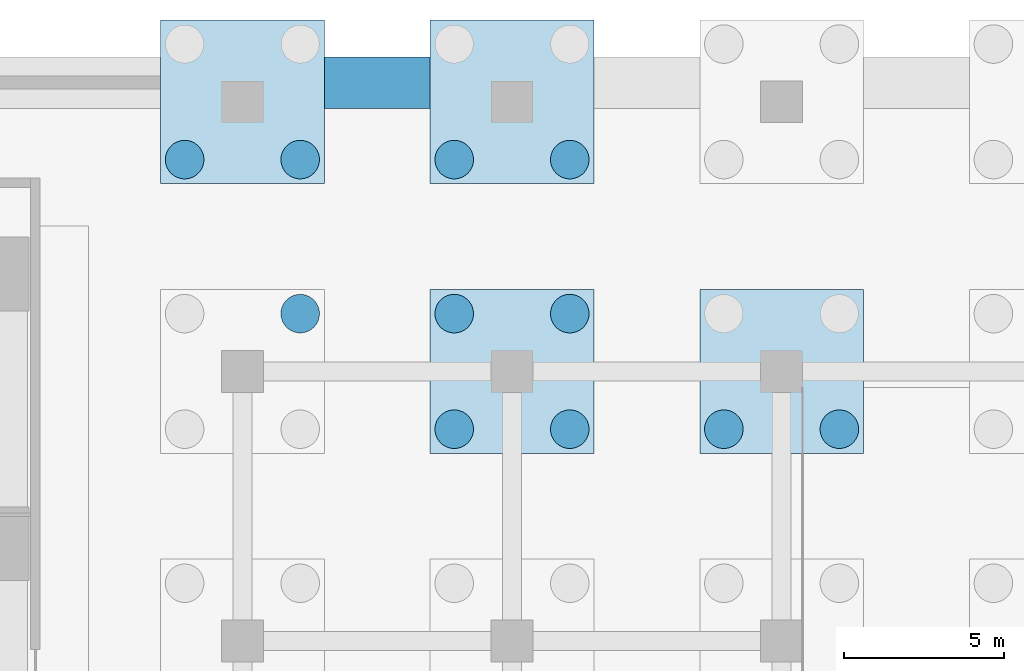
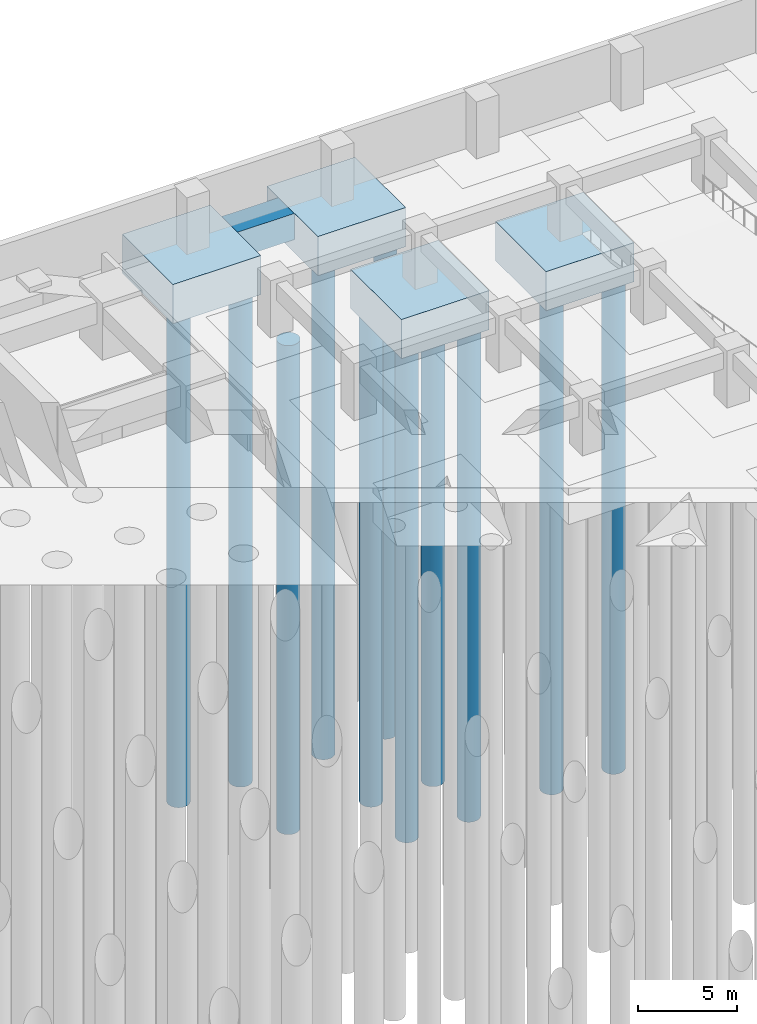
# One storey, part 44 of 73: 11 piles, 5 footings.
"""IFC4 building model written with IfcOpenShell, lengths in metres."""

from ifc_helpers import new_model, si_unit, direction, frame, origin, origin_2d, place, context, subcontext, project, spatial, polyline, circle, outline, extrude, material, material_profile, profile_set, type_object, element, save


model = new_model("IFC4")

# Units and contexts
model_context = context("Model", 3, precision=1e-05, world=origin(), true_north=direction((0.0, 1.0)))
body_context = subcontext(model_context, "Body", "Model", "MODEL_VIEW")
ifc_project = project(units=[si_unit("LENGTHUNIT", "METRE"), si_unit("AREAUNIT", "SQUARE_METRE"), si_unit("VOLUMEUNIT", "CUBIC_METRE"), si_unit("PLANEANGLEUNIT", "RADIAN"), si_unit("MASSUNIT", "GRAM", prefix="KILO")], contexts=[model_context])

# Site, building, storey
site_placement = place(None, origin())
site = spatial("IfcSite", under=ifc_project, at=site_placement, CompositionType="ELEMENT")
building_placement = place(site_placement, origin())
building = spatial("IfcBuilding", under=site, at=building_placement, Name="Impinga Residences", CompositionType="ELEMENT")
storey_placement = place(building_placement, frame((0.0, 0.0, -10.5)))
storey = spatial("IfcBuildingStorey", under=building, at=storey_placement, Name="B3", CompositionType="ELEMENT", Elevation=-10.5)

# Piles
ifc_material_1 = material(Name="Concrete C35/45", Category="concrete")
ifc_material_profile = material_profile(ifc_material_1, circle(Radius=0.60009765625, at=origin_2d()), Name="D1200")
ifc_profile_set = profile_set([ifc_material_profile], Name="Concrete C35/45")
pile_type = type_object("IfcPileType", Name="BP2 bored pile D1200", PredefinedType="BORED", material=ifc_profile_set)
pile_1_placement = place(storey_placement, frame((18.60009765625, 43.800048828125, -2.39990234375), z_axis=(0.0, 0.0, -1.0), x_axis=(1.0, 0.0, 0.0)))
element("IfcPile", 1, at=pile_1_placement, inside=storey, type_object=pile_type, Name="Cap pile BP2 9/L-3", PredefinedType="BORED", context=body_context, shape_type="SweptSolid", body=[
    extrude(outline(polyline([(0.60009765625, 0.0), (0.59716796875, 0.058837890625), (0.58837890625, 0.116943359375), (0.57421875, 0.174072265625), (0.554443359375, 0.2294921875), (0.529052734375, 0.282958984375), (0.498779296875, 0.333251953125), (0.4638671875, 0.380615234375), (0.42431640625, 0.42431640625), (0.380615234375, 0.4638671875), (0.333251953125, 0.498779296875), (0.282958984375, 0.529052734375), (0.2294921875, 0.554443359375), (0.174072265625, 0.57421875), (0.116943359375, 0.58837890625), (0.058837890625, 0.59716796875), (0.0, 0.60009765625), (-0.058837890625, 0.59716796875), (-0.116943359375, 0.58837890625), (-0.174072265625, 0.57421875), (-0.2294921875, 0.554443359375), (-0.282958984375, 0.529052734375), (-0.333251953125, 0.498779296875), (-0.380615234375, 0.4638671875), (-0.42431640625, 0.42431640625), (-0.4638671875, 0.380615234375), (-0.498779296875, 0.333251953125), (-0.529052734375, 0.282958984375), (-0.554443359375, 0.2294921875), (-0.57421875, 0.174072265625), (-0.58837890625, 0.116943359375), (-0.59716796875, 0.058837890625), (-0.60009765625, 0.0), (-0.59716796875, -0.058837890625), (-0.58837890625, -0.116943359375), (-0.57421875, -0.174072265625), (-0.554443359375, -0.2294921875), (-0.529052734375, -0.282958984375), (-0.498779296875, -0.333251953125), (-0.4638671875, -0.380615234375), (-0.42431640625, -0.42431640625), (-0.380615234375, -0.4638671875), (-0.333251953125, -0.498779296875), (-0.282958984375, -0.529052734375), (-0.2294921875, -0.554443359375), (-0.174072265625, -0.57421875), (-0.116943359375, -0.58837890625), (-0.058837890625, -0.59716796875), (0.0, -0.60009765625), (0.058837890625, -0.59716796875), (0.116943359375, -0.58837890625), (0.174072265625, -0.57421875), (0.2294921875, -0.554443359375), (0.282958984375, -0.529052734375), (0.333251953125, -0.498779296875), (0.380615234375, -0.4638671875), (0.42431640625, -0.42431640625), (0.4638671875, -0.380615234375), (0.498779296875, -0.333251953125), (0.529052734375, -0.282958984375), (0.554443359375, -0.2294921875), (0.57421875, -0.174072265625), (0.58837890625, -0.116943359375), (0.59716796875, -0.058837890625), (0.60009765625, 0.0)])), origin(), (0.0, 0.0, 1.0), 30.0),
])
pile_2_placement = place(storey_placement, frame((15.0, 48.60009765625, -2.39990234375), z_axis=(0.0, 0.0, -1.0), x_axis=(1.0, 0.0, 0.0)))
element("IfcPile", 2, at=pile_2_placement, inside=storey, type_object=pile_type, Name="Cap pile BP2 9/M-1", PredefinedType="BORED", context=body_context, shape_type="SweptSolid", body=[
    extrude(outline(polyline([(0.60009765625, 0.0), (0.59716796875, 0.058837890625), (0.58837890625, 0.116943359375), (0.57421875, 0.174072265625), (0.554443359375, 0.2294921875), (0.529052734375, 0.282958984375), (0.498779296875, 0.333251953125), (0.4638671875, 0.380615234375), (0.42431640625, 0.42431640625), (0.380615234375, 0.4638671875), (0.333251953125, 0.498779296875), (0.282958984375, 0.529052734375), (0.2294921875, 0.554443359375), (0.174072265625, 0.57421875), (0.116943359375, 0.58837890625), (0.058837890625, 0.59716796875), (0.0, 0.60009765625), (-0.058837890625, 0.59716796875), (-0.116943359375, 0.58837890625), (-0.174072265625, 0.57421875), (-0.2294921875, 0.554443359375), (-0.282958984375, 0.529052734375), (-0.333251953125, 0.498779296875), (-0.380615234375, 0.4638671875), (-0.42431640625, 0.42431640625), (-0.4638671875, 0.380615234375), (-0.498779296875, 0.333251953125), (-0.529052734375, 0.282958984375), (-0.554443359375, 0.2294921875), (-0.57421875, 0.174072265625), (-0.58837890625, 0.116943359375), (-0.59716796875, 0.058837890625), (-0.60009765625, 0.0), (-0.59716796875, -0.058837890625), (-0.58837890625, -0.116943359375), (-0.57421875, -0.174072265625), (-0.554443359375, -0.2294921875), (-0.529052734375, -0.282958984375), (-0.498779296875, -0.333251953125), (-0.4638671875, -0.380615234375), (-0.42431640625, -0.42431640625), (-0.380615234375, -0.4638671875), (-0.333251953125, -0.498779296875), (-0.282958984375, -0.529052734375), (-0.2294921875, -0.554443359375), (-0.174072265625, -0.57421875), (-0.116943359375, -0.58837890625), (-0.058837890625, -0.59716796875), (0.0, -0.60009765625), (0.058837890625, -0.59716796875), (0.116943359375, -0.58837890625), (0.174072265625, -0.57421875), (0.2294921875, -0.554443359375), (0.282958984375, -0.529052734375), (0.333251953125, -0.498779296875), (0.380615234375, -0.4638671875), (0.42431640625, -0.42431640625), (0.4638671875, -0.380615234375), (0.498779296875, -0.333251953125), (0.529052734375, -0.282958984375), (0.554443359375, -0.2294921875), (0.57421875, -0.174072265625), (0.58837890625, -0.116943359375), (0.59716796875, -0.058837890625), (0.60009765625, 0.0)])), origin(), (0.0, 0.0, 1.0), 30.0),
])
pile_3_placement = place(storey_placement, frame((18.60009765625, 48.60009765625, -2.39990234375), z_axis=(0.0, 0.0, -1.0), x_axis=(1.0, 0.0, 0.0)))
element("IfcPile", 3, at=pile_3_placement, inside=storey, type_object=pile_type, Name="Cap pile BP2 9/M-2", PredefinedType="BORED", context=body_context, shape_type="SweptSolid", body=[
    extrude(outline(polyline([(0.60009765625, 0.0), (0.59716796875, 0.058837890625), (0.58837890625, 0.116943359375), (0.57421875, 0.174072265625), (0.554443359375, 0.2294921875), (0.529052734375, 0.282958984375), (0.498779296875, 0.333251953125), (0.4638671875, 0.380615234375), (0.42431640625, 0.42431640625), (0.380615234375, 0.4638671875), (0.333251953125, 0.498779296875), (0.282958984375, 0.529052734375), (0.2294921875, 0.554443359375), (0.174072265625, 0.57421875), (0.116943359375, 0.58837890625), (0.058837890625, 0.59716796875), (0.0, 0.60009765625), (-0.058837890625, 0.59716796875), (-0.116943359375, 0.58837890625), (-0.174072265625, 0.57421875), (-0.2294921875, 0.554443359375), (-0.282958984375, 0.529052734375), (-0.333251953125, 0.498779296875), (-0.380615234375, 0.4638671875), (-0.42431640625, 0.42431640625), (-0.4638671875, 0.380615234375), (-0.498779296875, 0.333251953125), (-0.529052734375, 0.282958984375), (-0.554443359375, 0.2294921875), (-0.57421875, 0.174072265625), (-0.58837890625, 0.116943359375), (-0.59716796875, 0.058837890625), (-0.60009765625, 0.0), (-0.59716796875, -0.058837890625), (-0.58837890625, -0.116943359375), (-0.57421875, -0.174072265625), (-0.554443359375, -0.2294921875), (-0.529052734375, -0.282958984375), (-0.498779296875, -0.333251953125), (-0.4638671875, -0.380615234375), (-0.42431640625, -0.42431640625), (-0.380615234375, -0.4638671875), (-0.333251953125, -0.498779296875), (-0.282958984375, -0.529052734375), (-0.2294921875, -0.554443359375), (-0.174072265625, -0.57421875), (-0.116943359375, -0.58837890625), (-0.058837890625, -0.59716796875), (0.0, -0.60009765625), (0.058837890625, -0.59716796875), (0.116943359375, -0.58837890625), (0.174072265625, -0.57421875), (0.2294921875, -0.554443359375), (0.282958984375, -0.529052734375), (0.333251953125, -0.498779296875), (0.380615234375, -0.4638671875), (0.42431640625, -0.42431640625), (0.4638671875, -0.380615234375), (0.498779296875, -0.333251953125), (0.529052734375, -0.282958984375), (0.554443359375, -0.2294921875), (0.57421875, -0.174072265625), (0.58837890625, -0.116943359375), (0.59716796875, -0.058837890625), (0.60009765625, 0.0)])), origin(), (0.0, 0.0, 1.0), 30.0),
])
pile_4_placement = place(storey_placement, frame((23.39990234375, 40.199951171875, -2.39990234375), z_axis=(0.0, 0.0, -1.0), x_axis=(1.0, 0.0, 0.0)))
element("IfcPile", 4, at=pile_4_placement, inside=storey, type_object=pile_type, Name="Cap pile BP2 10/L-1", PredefinedType="BORED", context=body_context, shape_type="SweptSolid", body=[
    extrude(outline(polyline([(0.60009765625, 0.0), (0.59716796875, 0.058837890625), (0.58837890625, 0.116943359375), (0.57421875, 0.174072265625), (0.554443359375, 0.2294921875), (0.529052734375, 0.282958984375), (0.498779296875, 0.333251953125), (0.4638671875, 0.380615234375), (0.42431640625, 0.42431640625), (0.380615234375, 0.4638671875), (0.333251953125, 0.498779296875), (0.282958984375, 0.529052734375), (0.2294921875, 0.554443359375), (0.174072265625, 0.57421875), (0.116943359375, 0.58837890625), (0.058837890625, 0.59716796875), (0.0, 0.60009765625), (-0.058837890625, 0.59716796875), (-0.116943359375, 0.58837890625), (-0.174072265625, 0.57421875), (-0.2294921875, 0.554443359375), (-0.282958984375, 0.529052734375), (-0.333251953125, 0.498779296875), (-0.380615234375, 0.4638671875), (-0.42431640625, 0.42431640625), (-0.4638671875, 0.380615234375), (-0.498779296875, 0.333251953125), (-0.529052734375, 0.282958984375), (-0.554443359375, 0.2294921875), (-0.57421875, 0.174072265625), (-0.58837890625, 0.116943359375), (-0.59716796875, 0.058837890625), (-0.60009765625, 0.0), (-0.59716796875, -0.058837890625), (-0.58837890625, -0.116943359375), (-0.57421875, -0.174072265625), (-0.554443359375, -0.2294921875), (-0.529052734375, -0.282958984375), (-0.498779296875, -0.333251953125), (-0.4638671875, -0.380615234375), (-0.42431640625, -0.42431640625), (-0.380615234375, -0.4638671875), (-0.333251953125, -0.498779296875), (-0.282958984375, -0.529052734375), (-0.2294921875, -0.554443359375), (-0.174072265625, -0.57421875), (-0.116943359375, -0.58837890625), (-0.058837890625, -0.59716796875), (0.0, -0.60009765625), (0.058837890625, -0.59716796875), (0.116943359375, -0.58837890625), (0.174072265625, -0.57421875), (0.2294921875, -0.554443359375), (0.282958984375, -0.529052734375), (0.333251953125, -0.498779296875), (0.380615234375, -0.4638671875), (0.42431640625, -0.42431640625), (0.4638671875, -0.380615234375), (0.498779296875, -0.333251953125), (0.529052734375, -0.282958984375), (0.554443359375, -0.2294921875), (0.57421875, -0.174072265625), (0.58837890625, -0.116943359375), (0.59716796875, -0.058837890625), (0.60009765625, 0.0)])), origin(), (0.0, 0.0, 1.0), 30.0),
])
pile_5_placement = place(storey_placement, frame((27.0, 40.199951171875, -2.39990234375), z_axis=(0.0, 0.0, -1.0), x_axis=(1.0, 0.0, 0.0)))
element("IfcPile", 5, at=pile_5_placement, inside=storey, type_object=pile_type, Name="Cap pile BP2 10/L-2", PredefinedType="BORED", context=body_context, shape_type="SweptSolid", body=[
    extrude(outline(polyline([(0.60009765625, 0.0), (0.59716796875, 0.058837890625), (0.58837890625, 0.116943359375), (0.57421875, 0.174072265625), (0.554443359375, 0.2294921875), (0.529052734375, 0.282958984375), (0.498779296875, 0.333251953125), (0.4638671875, 0.380615234375), (0.42431640625, 0.42431640625), (0.380615234375, 0.4638671875), (0.333251953125, 0.498779296875), (0.282958984375, 0.529052734375), (0.2294921875, 0.554443359375), (0.174072265625, 0.57421875), (0.116943359375, 0.58837890625), (0.058837890625, 0.59716796875), (0.0, 0.60009765625), (-0.058837890625, 0.59716796875), (-0.116943359375, 0.58837890625), (-0.174072265625, 0.57421875), (-0.2294921875, 0.554443359375), (-0.282958984375, 0.529052734375), (-0.333251953125, 0.498779296875), (-0.380615234375, 0.4638671875), (-0.42431640625, 0.42431640625), (-0.4638671875, 0.380615234375), (-0.498779296875, 0.333251953125), (-0.529052734375, 0.282958984375), (-0.554443359375, 0.2294921875), (-0.57421875, 0.174072265625), (-0.58837890625, 0.116943359375), (-0.59716796875, 0.058837890625), (-0.60009765625, 0.0), (-0.59716796875, -0.058837890625), (-0.58837890625, -0.116943359375), (-0.57421875, -0.174072265625), (-0.554443359375, -0.2294921875), (-0.529052734375, -0.282958984375), (-0.498779296875, -0.333251953125), (-0.4638671875, -0.380615234375), (-0.42431640625, -0.42431640625), (-0.380615234375, -0.4638671875), (-0.333251953125, -0.498779296875), (-0.282958984375, -0.529052734375), (-0.2294921875, -0.554443359375), (-0.174072265625, -0.57421875), (-0.116943359375, -0.58837890625), (-0.058837890625, -0.59716796875), (0.0, -0.60009765625), (0.058837890625, -0.59716796875), (0.116943359375, -0.58837890625), (0.174072265625, -0.57421875), (0.2294921875, -0.554443359375), (0.282958984375, -0.529052734375), (0.333251953125, -0.498779296875), (0.380615234375, -0.4638671875), (0.42431640625, -0.42431640625), (0.4638671875, -0.380615234375), (0.498779296875, -0.333251953125), (0.529052734375, -0.282958984375), (0.554443359375, -0.2294921875), (0.57421875, -0.174072265625), (0.58837890625, -0.116943359375), (0.59716796875, -0.058837890625), (0.60009765625, 0.0)])), origin(), (0.0, 0.0, 1.0), 30.0),
])
pile_6_placement = place(storey_placement, frame((27.0, 43.800048828125, -2.39990234375), z_axis=(0.0, 0.0, -1.0), x_axis=(1.0, 0.0, 0.0)))
element("IfcPile", 6, at=pile_6_placement, inside=storey, type_object=pile_type, Name="Cap pile BP2 10/L-3", PredefinedType="BORED", context=body_context, shape_type="SweptSolid", body=[
    extrude(outline(polyline([(0.60009765625, 0.0), (0.59716796875, 0.058837890625), (0.58837890625, 0.116943359375), (0.57421875, 0.174072265625), (0.554443359375, 0.2294921875), (0.529052734375, 0.282958984375), (0.498779296875, 0.333251953125), (0.4638671875, 0.380615234375), (0.42431640625, 0.42431640625), (0.380615234375, 0.4638671875), (0.333251953125, 0.498779296875), (0.282958984375, 0.529052734375), (0.2294921875, 0.554443359375), (0.174072265625, 0.57421875), (0.116943359375, 0.58837890625), (0.058837890625, 0.59716796875), (0.0, 0.60009765625), (-0.058837890625, 0.59716796875), (-0.116943359375, 0.58837890625), (-0.174072265625, 0.57421875), (-0.2294921875, 0.554443359375), (-0.282958984375, 0.529052734375), (-0.333251953125, 0.498779296875), (-0.380615234375, 0.4638671875), (-0.42431640625, 0.42431640625), (-0.4638671875, 0.380615234375), (-0.498779296875, 0.333251953125), (-0.529052734375, 0.282958984375), (-0.554443359375, 0.2294921875), (-0.57421875, 0.174072265625), (-0.58837890625, 0.116943359375), (-0.59716796875, 0.058837890625), (-0.60009765625, 0.0), (-0.59716796875, -0.058837890625), (-0.58837890625, -0.116943359375), (-0.57421875, -0.174072265625), (-0.554443359375, -0.2294921875), (-0.529052734375, -0.282958984375), (-0.498779296875, -0.333251953125), (-0.4638671875, -0.380615234375), (-0.42431640625, -0.42431640625), (-0.380615234375, -0.4638671875), (-0.333251953125, -0.498779296875), (-0.282958984375, -0.529052734375), (-0.2294921875, -0.554443359375), (-0.174072265625, -0.57421875), (-0.116943359375, -0.58837890625), (-0.058837890625, -0.59716796875), (0.0, -0.60009765625), (0.058837890625, -0.59716796875), (0.116943359375, -0.58837890625), (0.174072265625, -0.57421875), (0.2294921875, -0.554443359375), (0.282958984375, -0.529052734375), (0.333251953125, -0.498779296875), (0.380615234375, -0.4638671875), (0.42431640625, -0.42431640625), (0.4638671875, -0.380615234375), (0.498779296875, -0.333251953125), (0.529052734375, -0.282958984375), (0.554443359375, -0.2294921875), (0.57421875, -0.174072265625), (0.58837890625, -0.116943359375), (0.59716796875, -0.058837890625), (0.60009765625, 0.0)])), origin(), (0.0, 0.0, 1.0), 30.0),
])
pile_7_placement = place(storey_placement, frame((23.39990234375, 43.800048828125, -2.39990234375), z_axis=(0.0, 0.0, -1.0), x_axis=(1.0, 0.0, 0.0)))
element("IfcPile", 7, at=pile_7_placement, inside=storey, type_object=pile_type, Name="Cap pile BP2 10/L-4", PredefinedType="BORED", context=body_context, shape_type="SweptSolid", body=[
    extrude(outline(polyline([(0.60009765625, 0.0), (0.59716796875, 0.058837890625), (0.58837890625, 0.116943359375), (0.57421875, 0.174072265625), (0.554443359375, 0.2294921875), (0.529052734375, 0.282958984375), (0.498779296875, 0.333251953125), (0.4638671875, 0.380615234375), (0.42431640625, 0.42431640625), (0.380615234375, 0.4638671875), (0.333251953125, 0.498779296875), (0.282958984375, 0.529052734375), (0.2294921875, 0.554443359375), (0.174072265625, 0.57421875), (0.116943359375, 0.58837890625), (0.058837890625, 0.59716796875), (0.0, 0.60009765625), (-0.058837890625, 0.59716796875), (-0.116943359375, 0.58837890625), (-0.174072265625, 0.57421875), (-0.2294921875, 0.554443359375), (-0.282958984375, 0.529052734375), (-0.333251953125, 0.498779296875), (-0.380615234375, 0.4638671875), (-0.42431640625, 0.42431640625), (-0.4638671875, 0.380615234375), (-0.498779296875, 0.333251953125), (-0.529052734375, 0.282958984375), (-0.554443359375, 0.2294921875), (-0.57421875, 0.174072265625), (-0.58837890625, 0.116943359375), (-0.59716796875, 0.058837890625), (-0.60009765625, 0.0), (-0.59716796875, -0.058837890625), (-0.58837890625, -0.116943359375), (-0.57421875, -0.174072265625), (-0.554443359375, -0.2294921875), (-0.529052734375, -0.282958984375), (-0.498779296875, -0.333251953125), (-0.4638671875, -0.380615234375), (-0.42431640625, -0.42431640625), (-0.380615234375, -0.4638671875), (-0.333251953125, -0.498779296875), (-0.282958984375, -0.529052734375), (-0.2294921875, -0.554443359375), (-0.174072265625, -0.57421875), (-0.116943359375, -0.58837890625), (-0.058837890625, -0.59716796875), (0.0, -0.60009765625), (0.058837890625, -0.59716796875), (0.116943359375, -0.58837890625), (0.174072265625, -0.57421875), (0.2294921875, -0.554443359375), (0.282958984375, -0.529052734375), (0.333251953125, -0.498779296875), (0.380615234375, -0.4638671875), (0.42431640625, -0.42431640625), (0.4638671875, -0.380615234375), (0.498779296875, -0.333251953125), (0.529052734375, -0.282958984375), (0.554443359375, -0.2294921875), (0.57421875, -0.174072265625), (0.58837890625, -0.116943359375), (0.59716796875, -0.058837890625), (0.60009765625, 0.0)])), origin(), (0.0, 0.0, 1.0), 30.0),
])
pile_8_placement = place(storey_placement, frame((23.39990234375, 48.60009765625, -2.39990234375), z_axis=(0.0, 0.0, -1.0), x_axis=(1.0, 0.0, 0.0)))
element("IfcPile", 8, at=pile_8_placement, inside=storey, type_object=pile_type, Name="Cap pile BP2 10/M-1", PredefinedType="BORED", context=body_context, shape_type="SweptSolid", body=[
    extrude(outline(polyline([(0.60009765625, 0.0), (0.59716796875, 0.058837890625), (0.58837890625, 0.116943359375), (0.57421875, 0.174072265625), (0.554443359375, 0.2294921875), (0.529052734375, 0.282958984375), (0.498779296875, 0.333251953125), (0.4638671875, 0.380615234375), (0.42431640625, 0.42431640625), (0.380615234375, 0.4638671875), (0.333251953125, 0.498779296875), (0.282958984375, 0.529052734375), (0.2294921875, 0.554443359375), (0.174072265625, 0.57421875), (0.116943359375, 0.58837890625), (0.058837890625, 0.59716796875), (0.0, 0.60009765625), (-0.058837890625, 0.59716796875), (-0.116943359375, 0.58837890625), (-0.174072265625, 0.57421875), (-0.2294921875, 0.554443359375), (-0.282958984375, 0.529052734375), (-0.333251953125, 0.498779296875), (-0.380615234375, 0.4638671875), (-0.42431640625, 0.42431640625), (-0.4638671875, 0.380615234375), (-0.498779296875, 0.333251953125), (-0.529052734375, 0.282958984375), (-0.554443359375, 0.2294921875), (-0.57421875, 0.174072265625), (-0.58837890625, 0.116943359375), (-0.59716796875, 0.058837890625), (-0.60009765625, 0.0), (-0.59716796875, -0.058837890625), (-0.58837890625, -0.116943359375), (-0.57421875, -0.174072265625), (-0.554443359375, -0.2294921875), (-0.529052734375, -0.282958984375), (-0.498779296875, -0.333251953125), (-0.4638671875, -0.380615234375), (-0.42431640625, -0.42431640625), (-0.380615234375, -0.4638671875), (-0.333251953125, -0.498779296875), (-0.282958984375, -0.529052734375), (-0.2294921875, -0.554443359375), (-0.174072265625, -0.57421875), (-0.116943359375, -0.58837890625), (-0.058837890625, -0.59716796875), (0.0, -0.60009765625), (0.058837890625, -0.59716796875), (0.116943359375, -0.58837890625), (0.174072265625, -0.57421875), (0.2294921875, -0.554443359375), (0.282958984375, -0.529052734375), (0.333251953125, -0.498779296875), (0.380615234375, -0.4638671875), (0.42431640625, -0.42431640625), (0.4638671875, -0.380615234375), (0.498779296875, -0.333251953125), (0.529052734375, -0.282958984375), (0.554443359375, -0.2294921875), (0.57421875, -0.174072265625), (0.58837890625, -0.116943359375), (0.59716796875, -0.058837890625), (0.60009765625, 0.0)])), origin(), (0.0, 0.0, 1.0), 30.0),
])
pile_9_placement = place(storey_placement, frame((27.0, 48.60009765625, -2.39990234375), z_axis=(0.0, 0.0, -1.0), x_axis=(1.0, 0.0, 0.0)))
element("IfcPile", 9, at=pile_9_placement, inside=storey, type_object=pile_type, Name="Cap pile BP2 10/M-2", PredefinedType="BORED", context=body_context, shape_type="SweptSolid", body=[
    extrude(outline(polyline([(0.60009765625, 0.0), (0.59716796875, 0.058837890625), (0.58837890625, 0.116943359375), (0.57421875, 0.174072265625), (0.554443359375, 0.2294921875), (0.529052734375, 0.282958984375), (0.498779296875, 0.333251953125), (0.4638671875, 0.380615234375), (0.42431640625, 0.42431640625), (0.380615234375, 0.4638671875), (0.333251953125, 0.498779296875), (0.282958984375, 0.529052734375), (0.2294921875, 0.554443359375), (0.174072265625, 0.57421875), (0.116943359375, 0.58837890625), (0.058837890625, 0.59716796875), (0.0, 0.60009765625), (-0.058837890625, 0.59716796875), (-0.116943359375, 0.58837890625), (-0.174072265625, 0.57421875), (-0.2294921875, 0.554443359375), (-0.282958984375, 0.529052734375), (-0.333251953125, 0.498779296875), (-0.380615234375, 0.4638671875), (-0.42431640625, 0.42431640625), (-0.4638671875, 0.380615234375), (-0.498779296875, 0.333251953125), (-0.529052734375, 0.282958984375), (-0.554443359375, 0.2294921875), (-0.57421875, 0.174072265625), (-0.58837890625, 0.116943359375), (-0.59716796875, 0.058837890625), (-0.60009765625, 0.0), (-0.59716796875, -0.058837890625), (-0.58837890625, -0.116943359375), (-0.57421875, -0.174072265625), (-0.554443359375, -0.2294921875), (-0.529052734375, -0.282958984375), (-0.498779296875, -0.333251953125), (-0.4638671875, -0.380615234375), (-0.42431640625, -0.42431640625), (-0.380615234375, -0.4638671875), (-0.333251953125, -0.498779296875), (-0.282958984375, -0.529052734375), (-0.2294921875, -0.554443359375), (-0.174072265625, -0.57421875), (-0.116943359375, -0.58837890625), (-0.058837890625, -0.59716796875), (0.0, -0.60009765625), (0.058837890625, -0.59716796875), (0.116943359375, -0.58837890625), (0.174072265625, -0.57421875), (0.2294921875, -0.554443359375), (0.282958984375, -0.529052734375), (0.333251953125, -0.498779296875), (0.380615234375, -0.4638671875), (0.42431640625, -0.42431640625), (0.4638671875, -0.380615234375), (0.498779296875, -0.333251953125), (0.529052734375, -0.282958984375), (0.554443359375, -0.2294921875), (0.57421875, -0.174072265625), (0.58837890625, -0.116943359375), (0.59716796875, -0.058837890625), (0.60009765625, 0.0)])), origin(), (0.0, 0.0, 1.0), 30.0),
])
pile_10_placement = place(storey_placement, frame((31.800048828125, 40.199951171875, -2.39990234375), z_axis=(0.0, 0.0, -1.0), x_axis=(1.0, 0.0, 0.0)))
element("IfcPile", 10, at=pile_10_placement, inside=storey, type_object=pile_type, Name="Cap pile BP2 11/L-1", PredefinedType="BORED", context=body_context, shape_type="SweptSolid", body=[
    extrude(outline(polyline([(0.60009765625, 0.0), (0.59716796875, 0.058837890625), (0.58837890625, 0.116943359375), (0.57421875, 0.174072265625), (0.554443359375, 0.2294921875), (0.529052734375, 0.282958984375), (0.498779296875, 0.333251953125), (0.4638671875, 0.380615234375), (0.42431640625, 0.42431640625), (0.380615234375, 0.4638671875), (0.333251953125, 0.498779296875), (0.282958984375, 0.529052734375), (0.2294921875, 0.554443359375), (0.174072265625, 0.57421875), (0.116943359375, 0.58837890625), (0.058837890625, 0.59716796875), (0.0, 0.60009765625), (-0.058837890625, 0.59716796875), (-0.116943359375, 0.58837890625), (-0.174072265625, 0.57421875), (-0.2294921875, 0.554443359375), (-0.282958984375, 0.529052734375), (-0.333251953125, 0.498779296875), (-0.380615234375, 0.4638671875), (-0.42431640625, 0.42431640625), (-0.4638671875, 0.380615234375), (-0.498779296875, 0.333251953125), (-0.529052734375, 0.282958984375), (-0.554443359375, 0.2294921875), (-0.57421875, 0.174072265625), (-0.58837890625, 0.116943359375), (-0.59716796875, 0.058837890625), (-0.60009765625, 0.0), (-0.59716796875, -0.058837890625), (-0.58837890625, -0.116943359375), (-0.57421875, -0.174072265625), (-0.554443359375, -0.2294921875), (-0.529052734375, -0.282958984375), (-0.498779296875, -0.333251953125), (-0.4638671875, -0.380615234375), (-0.42431640625, -0.42431640625), (-0.380615234375, -0.4638671875), (-0.333251953125, -0.498779296875), (-0.282958984375, -0.529052734375), (-0.2294921875, -0.554443359375), (-0.174072265625, -0.57421875), (-0.116943359375, -0.58837890625), (-0.058837890625, -0.59716796875), (0.0, -0.60009765625), (0.058837890625, -0.59716796875), (0.116943359375, -0.58837890625), (0.174072265625, -0.57421875), (0.2294921875, -0.554443359375), (0.282958984375, -0.529052734375), (0.333251953125, -0.498779296875), (0.380615234375, -0.4638671875), (0.42431640625, -0.42431640625), (0.4638671875, -0.380615234375), (0.498779296875, -0.333251953125), (0.529052734375, -0.282958984375), (0.554443359375, -0.2294921875), (0.57421875, -0.174072265625), (0.58837890625, -0.116943359375), (0.59716796875, -0.058837890625), (0.60009765625, 0.0)])), origin(), (0.0, 0.0, 1.0), 30.0),
])
pile_11_placement = place(storey_placement, frame((35.39990234375, 40.199951171875, -2.39990234375), z_axis=(0.0, 0.0, -1.0), x_axis=(1.0, 0.0, 0.0)))
element("IfcPile", 11, at=pile_11_placement, inside=storey, type_object=pile_type, Name="Cap pile BP2 11/L-2", PredefinedType="BORED", context=body_context, shape_type="SweptSolid", body=[
    extrude(outline(polyline([(0.60009765625, 0.0), (0.59716796875, 0.058837890625), (0.58837890625, 0.116943359375), (0.57421875, 0.174072265625), (0.554443359375, 0.2294921875), (0.529052734375, 0.282958984375), (0.498779296875, 0.333251953125), (0.4638671875, 0.380615234375), (0.42431640625, 0.42431640625), (0.380615234375, 0.4638671875), (0.333251953125, 0.498779296875), (0.282958984375, 0.529052734375), (0.2294921875, 0.554443359375), (0.174072265625, 0.57421875), (0.116943359375, 0.58837890625), (0.058837890625, 0.59716796875), (0.0, 0.60009765625), (-0.058837890625, 0.59716796875), (-0.116943359375, 0.58837890625), (-0.174072265625, 0.57421875), (-0.2294921875, 0.554443359375), (-0.282958984375, 0.529052734375), (-0.333251953125, 0.498779296875), (-0.380615234375, 0.4638671875), (-0.42431640625, 0.42431640625), (-0.4638671875, 0.380615234375), (-0.498779296875, 0.333251953125), (-0.529052734375, 0.282958984375), (-0.554443359375, 0.2294921875), (-0.57421875, 0.174072265625), (-0.58837890625, 0.116943359375), (-0.59716796875, 0.058837890625), (-0.60009765625, 0.0), (-0.59716796875, -0.058837890625), (-0.58837890625, -0.116943359375), (-0.57421875, -0.174072265625), (-0.554443359375, -0.2294921875), (-0.529052734375, -0.282958984375), (-0.498779296875, -0.333251953125), (-0.4638671875, -0.380615234375), (-0.42431640625, -0.42431640625), (-0.380615234375, -0.4638671875), (-0.333251953125, -0.498779296875), (-0.282958984375, -0.529052734375), (-0.2294921875, -0.554443359375), (-0.174072265625, -0.57421875), (-0.116943359375, -0.58837890625), (-0.058837890625, -0.59716796875), (0.0, -0.60009765625), (0.058837890625, -0.59716796875), (0.116943359375, -0.58837890625), (0.174072265625, -0.57421875), (0.2294921875, -0.554443359375), (0.282958984375, -0.529052734375), (0.333251953125, -0.498779296875), (0.380615234375, -0.4638671875), (0.42431640625, -0.42431640625), (0.4638671875, -0.380615234375), (0.498779296875, -0.333251953125), (0.529052734375, -0.282958984375), (0.554443359375, -0.2294921875), (0.57421875, -0.174072265625), (0.58837890625, -0.116943359375), (0.59716796875, -0.058837890625), (0.60009765625, 0.0)])), origin(), (0.0, 0.0, 1.0), 30.0),
])

# Footings
ifc_material_2 = material(Name="Concrete C45/55", Category="concrete")
footing_type_1 = type_object("IfcFootingType", Name="PC4 four-pile cap 5100 square 2400 deep", PredefinedType="PILE_CAP", material=ifc_material_2)
footing_1_placement = place(storey_placement, frame((0.0, 0.0, -2.39990234375)))
element("IfcFooting", 12, at=footing_1_placement, inside=storey, type_object=footing_type_1, Name="Pile cap PC4 9/M", PredefinedType="PILE_CAP", context=body_context, shape_type="SweptSolid", body=[
    extrude(outline(polyline([(19.35009765625, 47.85009765625), (19.35009765625, 52.949951171875), (14.25, 52.949951171875), (14.25, 47.85009765625), (19.35009765625, 47.85009765625)])), origin(), (0.0, 0.0, 1.0), 2.39990234375),
])
footing_2_placement = place(storey_placement, frame((0.0, 0.0, -2.39990234375)))
element("IfcFooting", 13, at=footing_2_placement, inside=storey, type_object=footing_type_1, Name="Pile cap PC4 10/L", PredefinedType="PILE_CAP", context=body_context, shape_type="SweptSolid", body=[
    extrude(outline(polyline([(27.75, 39.449951171875), (27.75, 44.550048828125), (22.64990234375, 44.550048828125), (22.64990234375, 39.449951171875), (27.75, 39.449951171875)])), origin(), (0.0, 0.0, 1.0), 2.39990234375),
])
footing_3_placement = place(storey_placement, frame((0.0, 0.0, -2.39990234375)))
element("IfcFooting", 14, at=footing_3_placement, inside=storey, type_object=footing_type_1, Name="Pile cap PC4 10/M", PredefinedType="PILE_CAP", context=body_context, shape_type="SweptSolid", body=[
    extrude(outline(polyline([(27.75, 47.85009765625), (27.75, 52.949951171875), (22.64990234375, 52.949951171875), (22.64990234375, 47.85009765625), (27.75, 47.85009765625)])), origin(), (0.0, 0.0, 1.0), 2.39990234375),
])
footing_4_placement = place(storey_placement, frame((0.0, 0.0, -2.39990234375)))
element("IfcFooting", 15, at=footing_4_placement, inside=storey, type_object=footing_type_1, Name="Pile cap PC4 11/L", PredefinedType="PILE_CAP", context=body_context, shape_type="SweptSolid", body=[
    extrude(outline(polyline([(36.14990234375, 39.449951171875), (36.14990234375, 44.550048828125), (31.050048828125, 44.550048828125), (31.050048828125, 39.449951171875), (36.14990234375, 39.449951171875)])), origin(), (0.0, 0.0, 1.0), 2.39990234375),
])
footing_type_2 = type_object("IfcFootingType", Name="SF1 strip footing 1600 wide 1600 deep", PredefinedType="STRIP_FOOTING", material=ifc_material_2)
footing_5_placement = place(storey_placement, frame((0.0, 0.0, -1.60009765625)))
element("IfcFooting", 16, at=footing_5_placement, inside=storey, type_object=footing_type_2, Name="Strip footing SF1 N 4", PredefinedType="STRIP_FOOTING", context=body_context, shape_type="SweptSolid", body=[
    extrude(outline(polyline([(19.35009765625, 50.199951171875), (19.35009765625, 51.800048828125), (22.64990234375, 51.800048828125), (22.64990234375, 50.199951171875), (19.35009765625, 50.199951171875)])), origin(), (0.0, 0.0, 1.0), 1.60009765625),
])

save(model, "model.ifc")
